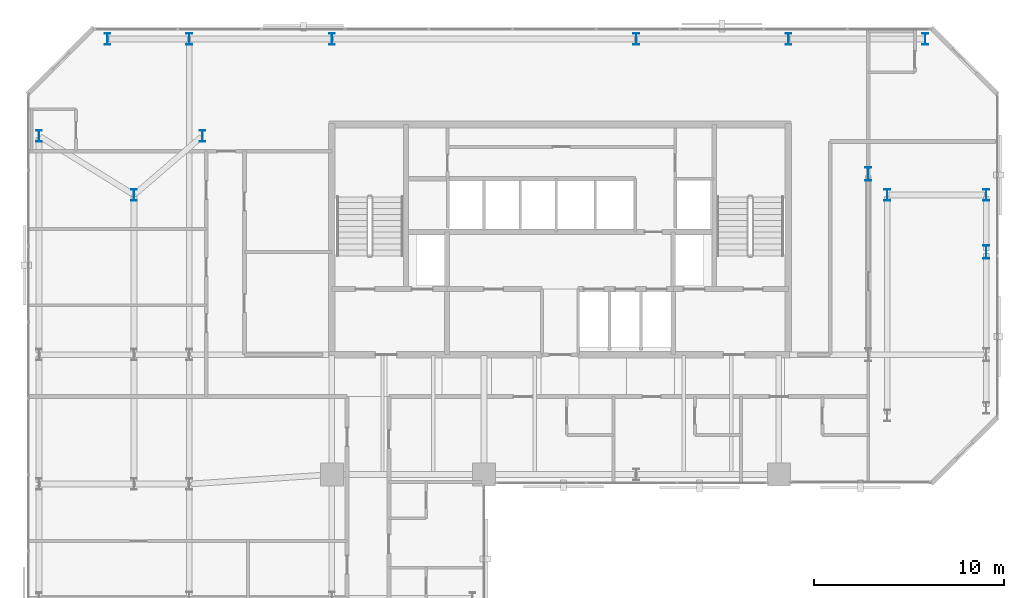
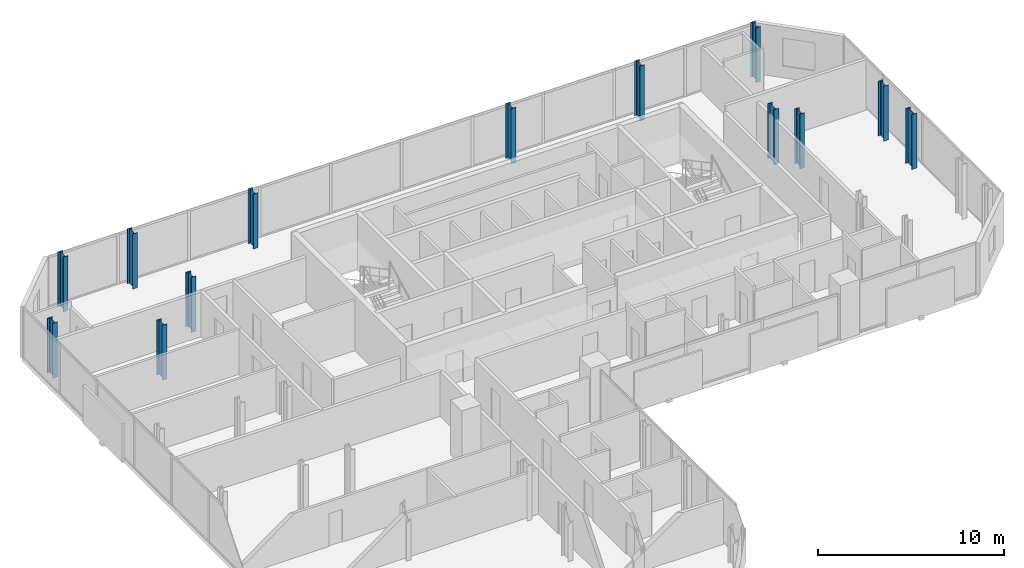
# One storey, part 2 of 32: 13 columns.
"""IFC4 building model written with IfcOpenShell, lengths in metres."""

from ifc_helpers import new_model, si_unit, direction, frame, origin, origin_2d, place, context, subcontext, project, spatial, i_section, extrude, material, material_profile, profile_set, type_object, element, save


model = new_model("IFC4")

# Units and contexts
model_context = context("Model", 3, precision=1e-05, world=origin(), true_north=direction((0.0, 1.0)))
body_context = subcontext(model_context, "Body", "Model", "MODEL_VIEW")
ifc_project = project(units=[si_unit("LENGTHUNIT", "METRE"), si_unit("AREAUNIT", "SQUARE_METRE"), si_unit("VOLUMEUNIT", "CUBIC_METRE"), si_unit("PLANEANGLEUNIT", "RADIAN"), si_unit("MASSUNIT", "GRAM", prefix="KILO")], contexts=[model_context])

# Site, building, storey
site_placement = place(None, origin())
site = spatial("IfcSite", under=ifc_project, at=site_placement, CompositionType="ELEMENT")
building_placement = place(site_placement, origin())
building = spatial("IfcBuilding", under=site, at=building_placement, Name="Catumbela Crestline Tower", CompositionType="ELEMENT")
storey_placement = place(building_placement, frame((0.0, 0.0, 136.8)))
storey = spatial("IfcBuildingStorey", under=building, at=storey_placement, Name="L35", CompositionType="ELEMENT", Elevation=136.8)

# Columns
ifc_material = material(Name="Structural steel S460M", Category="steel")
ifc_material_profile_1 = material_profile(ifc_material, i_section(OverallWidth=0.3, OverallDepth=0.6, WebThickness=0.0155, FlangeThickness=0.03, FilletRadius=0.027, at=origin_2d()), Name="HEB 600")
ifc_profile_set_1 = profile_set([ifc_material_profile_1], Name="Structural steel S460M")
column_type_1 = type_object("IfcColumnType", Name="C-ST-HEB600", PredefinedType="COLUMN", material=ifc_profile_set_1)
for number, where, z_axis, x_axis, name in (
    (1, (5.6, 39.2, 0.0), (0.0, 0.0, 1.0), (1.0, 0.0, 0.0), "L35 Column C-05-43 (HEB 600)"),
    (2, (9.2, 42.3, 0.0), (0.0, 0.0, 1.0), (1.0, 0.0, 0.0), "L35 Column C-08-43 (HEB 600)"),
    (3, (45.2, 39.2, 0.0), (0.0, 0.0, 1.0), (1.0, 0.0, 0.0), "L35 Column C-46-43 (HEB 600)"),
    (4, (0.6, 42.3, 0.0), (0.0, 0.0, 1.0), (1.0, 0.0, 0.0), "L35 Column C-00-43 (HEB 600)"),
    (5, (4.2, 47.4, 0.0), (0.0, 0.0, 1.0), (1.0, 0.0, 0.0), "L35 Column C-00-48 (HEB 600)"),
    (6, (8.5, 47.4, 0.0), (0.0, 0.0, 1.0), (1.0, 0.0, 0.0), "L35 Column C-08-48 (HEB 600)"),
    (7, (16.0, 47.4, 0.0), (0.0, 0.0, 1.0), (1.0, 0.0, 0.0), "L35 Column C-16-48 (HEB 600)"),
    (8, (32.0, 47.4, 0.0), (0.0, 0.0, 1.0), (1.0, 0.0, 0.0), "L35 Column C-32-48 (HEB 600)"),
    (9, (40.0, 47.4, 0.0), (0.0, 0.0, 1.0), (1.0, 0.0, 0.0), "L35 Column C-40-48 (HEB 600)"),
    (10, (47.2, 47.4, 0.0), (0.0, 0.0, 1.0), (1.0, 0.0, 0.0), "L35 Column C-48-48 (HEB 600)"),
    (11, (50.4, 39.2, 0.0), (0.0, 0.0, 1.0), (1.0, 0.0, 0.0), "L35 Column C-51-43 (HEB 600)"),
):
    element("IfcColumn", number, at=place(storey_placement, frame(where, z_axis=z_axis, x_axis=x_axis)), inside=storey, type_object=column_type_1, Name=name, PredefinedType="COLUMN", context=body_context, shape_type="SweptSolid", body=[
        extrude(i_section(OverallWidth=0.3, OverallDepth=0.6, WebThickness=0.0155, FlangeThickness=0.03, FilletRadius=0.027, at=origin_2d()), origin(), (0.0, 0.0, 1.0), 3.6),
    ])
ifc_material_profile_2 = material_profile(ifc_material, i_section(OverallWidth=0.3, OverallDepth=0.7, WebThickness=0.017, FlangeThickness=0.032, FilletRadius=0.027, at=origin_2d()), Name="HEB 700")
ifc_profile_set_2 = profile_set([ifc_material_profile_2], Name="Structural steel S460M")
column_type_2 = type_object("IfcColumnType", Name="C-ST-HEB700", PredefinedType="COLUMN", material=ifc_profile_set_2)
for number, where, z_axis, x_axis, name in (
    (12, (44.2, 40.3, 0.0), (0.0, 0.0, 1.0), (1.0, 0.0, 0.0), "L35 Column CT-46-37 (HEB 700)"),
    (13, (50.4, 36.2, 0.0), (0.0, 0.0, 1.0), (1.0, 0.0, 0.0), "L35 Column CT-51-37 (HEB 700)"),
):
    element("IfcColumn", number, at=place(storey_placement, frame(where, z_axis=z_axis, x_axis=x_axis)), inside=storey, type_object=column_type_2, Name=name, PredefinedType="COLUMN", context=body_context, shape_type="SweptSolid", body=[
        extrude(i_section(OverallWidth=0.3, OverallDepth=0.7, WebThickness=0.017, FlangeThickness=0.032, FilletRadius=0.027, at=origin_2d()), origin(), (0.0, 0.0, 1.0), 3.6),
    ])

save(model, "model.ifc")
